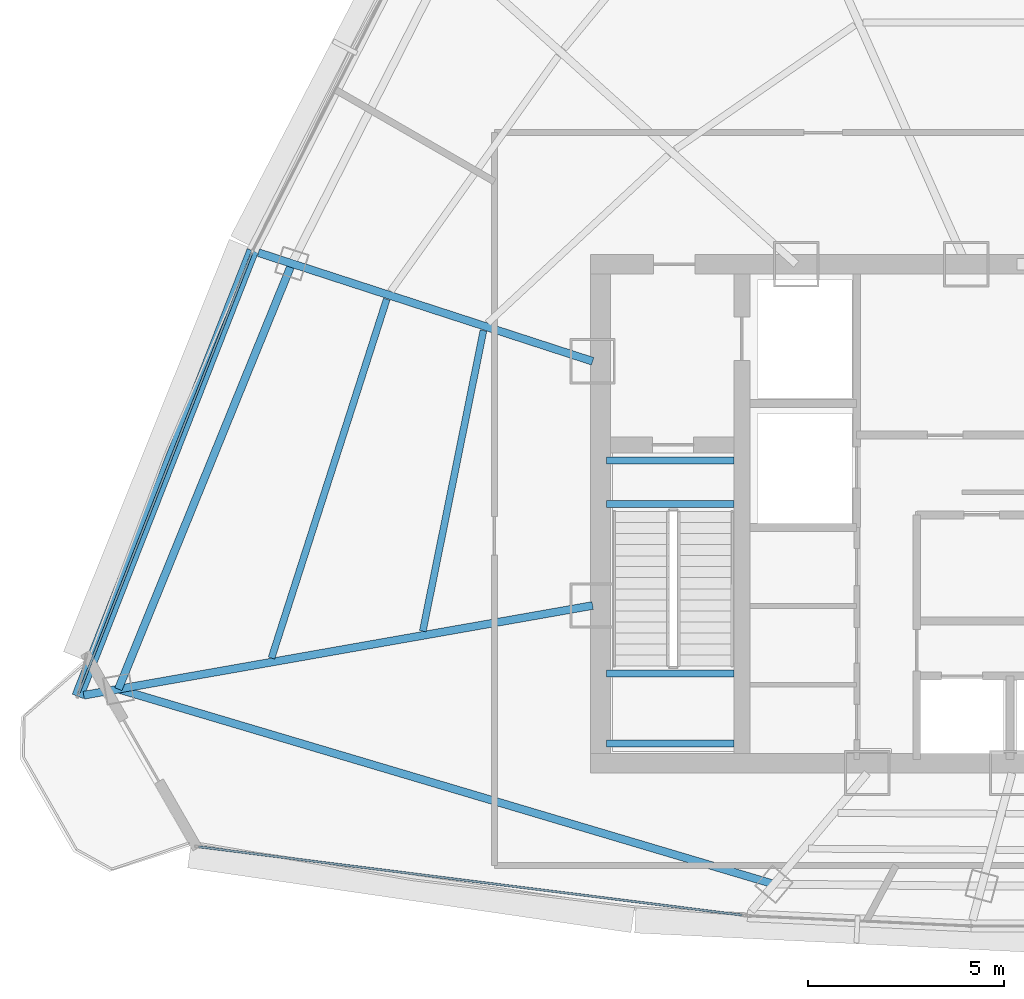
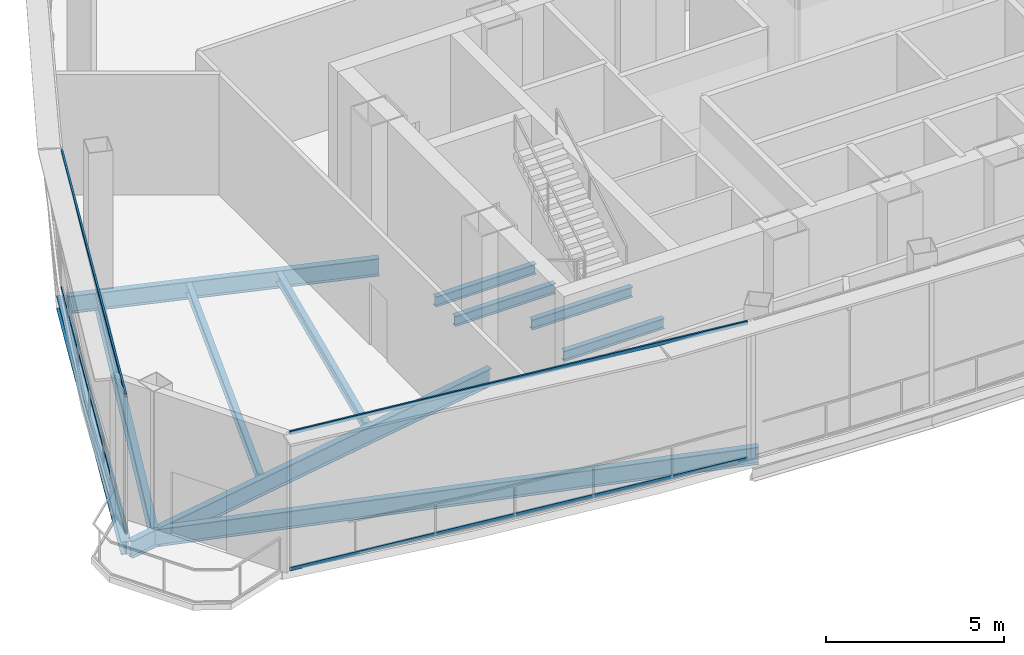
# One storey, part 3 of 29: 11 beams, 4 members, 2 elements without a shape of their own.
"""IFC4 building model written with IfcOpenShell, lengths in metres."""

from ifc_helpers import new_model, si_unit, direction, frame, origin, origin_2d, place, context, subcontext, project, spatial, hollow_rectangle, i_section, extrude, source, transform, mapped, material, layer, layer_set, material_profile, profile_set, type_object, element, aggregate, save


model = new_model("IFC4")

# Units and contexts
model_context = context("Model", 3, precision=1e-05, world=origin(), true_north=direction((0.0, 1.0)))
body_context = subcontext(model_context, "Body", "Model", "MODEL_VIEW")
ifc_project = project(units=[si_unit("LENGTHUNIT", "METRE"), si_unit("AREAUNIT", "SQUARE_METRE"), si_unit("VOLUMEUNIT", "CUBIC_METRE"), si_unit("PLANEANGLEUNIT", "RADIAN"), si_unit("MASSUNIT", "GRAM", prefix="KILO"), si_unit("THERMODYNAMICTEMPERATUREUNIT", "KELVIN"), si_unit("POWERUNIT", "WATT")], contexts=[model_context])

# Site, building, storey
site_placement = place(None, origin())
site = spatial("IfcSite", under=ifc_project, at=site_placement, CompositionType="ELEMENT")
building_placement = place(site_placement, origin())
building = spatial("IfcBuilding", under=site, at=building_placement, Name="Yunzhuo Pagoda Commons", CompositionType="ELEMENT")
storey_placement = place(building_placement, frame((0.0, 0.0, 366.760009765625)))
storey = spatial("IfcBuildingStorey", under=building, at=storey_placement, Name="L92", CompositionType="ELEMENT", Elevation=366.760009765625)

# Beams
ifc_material_1 = material(Name="Structural steel Q355B", Category="steel")
ifc_material_profile_1 = material_profile(ifc_material_1, i_section(OverallWidth=0.175048828125, OverallDepth=0.35009765625, WebThickness=0.007080078125, FlangeThickness=0.010986328125, at=origin_2d()), Name="Structural steel Q355B")
ifc_profile_set_1 = profile_set([ifc_material_profile_1], Name="Structural steel Q355B")
beam_type_1 = type_object("IfcBeamType", Name="B-JS2 Joist HN 350x175x7x11", PredefinedType="JOIST", material=ifc_profile_set_1)
shared_shape_1 = source(origin(), body_context, "Body", "SweptSolid", [
    extrude(i_section(OverallWidth=0.175048828125, OverallDepth=0.35009765625, WebThickness=0.007080078125, FlangeThickness=0.010986328125, at=origin_2d()), origin(), (0.0, 0.0, 1.0), 3.25),
])
for number, where, z_axis, x_axis, name in (
    (1, (35.949951171875, 28.0, 2.125), (1.0, 0.0, 0.0), (0.0, 1.0, 0.0), "L92 ST1 landing support beam 98A"),
    (2, (35.949951171875, 29.780029296875, 2.125), (1.0, 0.0, 0.0), (0.0, 1.0, 0.0), "L92 ST1 landing support beam 98B"),
    (3, (35.949951171875, 34.10009765625, -0.375), (1.0, 0.0, 0.0), (0.0, 1.0, 0.0), "L92 ST1 landing support beam 196A"),
    (4, (35.949951171875, 35.199951171875, -0.375), (1.0, 0.0, 0.0), (0.0, 1.0, 0.0), "L92 ST1 landing support beam 196B"),
):
    element("IfcBeam", number, at=place(storey_placement, frame(where, z_axis=z_axis, x_axis=x_axis)), inside=storey, type_object=beam_type_1, Name=name, PredefinedType="JOIST", context=body_context, shape_type="MappedRepresentation", body=[
        mapped(shared_shape_1, transform((0.0, 0.0, 0.0), scale=1.0)),
    ])
ifc_material_profile_2 = material_profile(ifc_material_1, i_section(OverallWidth=0.199951171875, OverallDepth=0.60009765625, WebThickness=0.010986328125, FlangeThickness=0.01708984375, at=origin_2d()), Name="Structural steel Q355B")
ifc_profile_set_2 = profile_set([ifc_material_profile_2], Name="Structural steel Q355B")
beam_type_2 = type_object("IfcBeamType", Name="B-RG3 Beam HN 600x200x11x17", PredefinedType="BEAM", material=ifc_profile_set_2)
shared_shape_2 = source(origin(), body_context, "Body", "SweptSolid", [
    extrude(i_section(OverallWidth=0.199951171875, OverallDepth=0.60009765625, WebThickness=0.010986328125, FlangeThickness=0.01708984375, at=origin_2d()), origin(), (0.0, 0.0, 1.0), 17.407470703125),
])
beam_1_placement = place(storey_placement, frame((23.52978515625, 29.38525390625, -0.580078125), z_axis=(0.958484984609, -0.285143006717, 0.0), x_axis=(0.285143006717, 0.958484984609, 0.0)))
element("IfcBeam", 5, at=beam_1_placement, inside=storey, type_object=beam_type_2, Name="L92 column-ring beam 12", PredefinedType="BEAM", context=body_context, shape_type="MappedRepresentation", body=[
    mapped(shared_shape_2, transform((0.0, 0.0, 0.0), scale=1.0)),
])
shared_shape_3 = source(origin(), body_context, "Body", "SweptSolid", [
    extrude(i_section(OverallWidth=0.199951171875, OverallDepth=0.60009765625, WebThickness=0.010986328125, FlangeThickness=0.01708984375, at=origin_2d()), origin(), (0.0, 0.0, 1.0), 11.696533203125),
])
beam_2_placement = place(storey_placement, frame((27.946533203125, 40.2158203125, -0.580078125), z_axis=(-0.377611800863, -0.925963999219, 0.0), x_axis=(0.925963999219, -0.377611800863, 0.0)))
element("IfcBeam", 6, at=beam_2_placement, inside=storey, type_object=beam_type_2, Name="L92 column-ring beam 11", PredefinedType="BEAM", context=body_context, shape_type="MappedRepresentation", body=[
    mapped(shared_shape_3, transform((0.0, 0.0, 0.0), scale=1.0)),
])
shared_shape_4 = source(origin(), body_context, "Body", "SweptSolid", [
    extrude(i_section(OverallWidth=0.175048828125, OverallDepth=0.35009765625, WebThickness=0.007080078125, FlangeThickness=0.010986328125, at=origin_2d()), origin(), (0.0, 0.0, 1.0), 7.8056640625),
])
beam_3_placement = place(storey_placement, frame((32.822265625, 38.511474609375, -0.455078125), z_axis=(-0.197890187791, -0.980224195568, 0.0), x_axis=(0.980224195568, -0.197890187791, 0.0)))
element("IfcBeam", 7, at=beam_3_placement, inside=storey, type_object=beam_type_1, Name="L92 composite ring joist 1.11", PredefinedType="JOIST", context=body_context, shape_type="MappedRepresentation", body=[
    mapped(shared_shape_4, transform((0.0, 0.0, 0.0), scale=1.0)),
])
shared_shape_5 = source(origin(), body_context, "Body", "SweptSolid", [
    extrude(i_section(OverallWidth=0.175048828125, OverallDepth=0.35009765625, WebThickness=0.007080078125, FlangeThickness=0.010986328125, at=origin_2d()), origin(), (0.0, 0.0, 1.0), 9.593994140625),
])
beam_4_placement = place(storey_placement, frame((30.360595703125, 39.310546875, -0.455078125), z_axis=(-0.305719218499, -0.952121714614, 0.0), x_axis=(0.952121714614, -0.305719218499, 0.0)))
element("IfcBeam", 8, at=beam_4_placement, inside=storey, type_object=beam_type_1, Name="L92 composite ring joist 2.11", PredefinedType="JOIST", context=body_context, shape_type="MappedRepresentation", body=[
    mapped(shared_shape_5, transform((0.0, 0.0, 0.0), scale=1.0)),
])
shared_shape_6 = source(origin(), body_context, "Body", "SweptSolid", [
    extrude(i_section(OverallWidth=0.199951171875, OverallDepth=0.60009765625, WebThickness=0.010986328125, FlangeThickness=0.01708984375, at=origin_2d()), origin(), (0.0, 0.0, 1.0), 8.942626953125),
])
beam_5_placement = place(storey_placement, frame((27.09521484375, 40.492431640625, -0.580078125), z_axis=(0.951055734301, -0.309019401095, 0.0), x_axis=(0.309019401095, 0.951055734301, 0.0)))
element("IfcBeam", 9, at=beam_5_placement, inside=storey, type_object=beam_type_2, Name="L92 radial floor girder F3C3", PredefinedType="BEAM", context=body_context, shape_type="MappedRepresentation", body=[
    mapped(shared_shape_6, transform((0.0, 0.0, 0.0), scale=1.0)),
])
shared_shape_7 = source(origin(), body_context, "Body", "SweptSolid", [
    extrude(i_section(OverallWidth=0.199951171875, OverallDepth=0.60009765625, WebThickness=0.010986328125, FlangeThickness=0.01708984375, at=origin_2d()), origin(), (0.0, 0.0, 1.0), 13.151123046875),
])
beam_6_placement = place(storey_placement, frame((22.648681640625, 29.229736328125, -0.580078125), z_axis=(0.984807657771, 0.173648717804, 0.0), x_axis=(-0.173648717804, 0.984807657771, 0.0)))
element("IfcBeam", 10, at=beam_6_placement, inside=storey, type_object=beam_type_2, Name="L92 radial floor girder F3C4", PredefinedType="BEAM", context=body_context, shape_type="MappedRepresentation", body=[
    mapped(shared_shape_7, transform((0.0, 0.0, 0.0), scale=1.0)),
])
ifc_material_profile_3 = material_profile(ifc_material_1, i_section(OverallWidth=0.300048828125, OverallDepth=0.43994140625, WebThickness=0.010986328125, FlangeThickness=0.01806640625, at=origin_2d()), Name="Structural steel Q355B")
ifc_profile_set_3 = profile_set([ifc_material_profile_3], Name="Structural steel Q355B")
beam_type_3 = type_object("IfcBeamType", Name="B-SP2 Beam HM 440x300x11x18", PredefinedType="BEAM", material=ifc_profile_set_3)
shared_shape_8 = source(origin(), body_context, "Body", "SweptSolid", [
    extrude(i_section(OverallWidth=0.300048828125, OverallDepth=0.43994140625, WebThickness=0.010986328125, FlangeThickness=0.01806640625, at=origin_2d()), origin(), (0.0, 0.0, 1.0), 12.18017578125),
])
beam_7_placement = place(storey_placement, frame((26.947998046875, 40.540283203125, -0.5), z_axis=(-0.365522138301, -0.930802646328, 0.0), x_axis=(0.930802646328, -0.365522138301, 0.0)))
element("IfcBeam", 11, at=beam_7_placement, inside=storey, type_object=beam_type_3, Name="L92 facade edge spandrel beam F3.3", PredefinedType="BEAM", context=body_context, shape_type="MappedRepresentation", body=[
    mapped(shared_shape_8, transform((0.0, 0.0, 0.0), scale=1.0)),
])

# Curtain wall, members
ifc_material_2 = material(Name="Anodized aluminium 6063-T6", Category="aluminium")
ifc_layer = layer(ifc_material_2, 0.139892578125)
ifc_layer_set = layer_set([ifc_layer], Name="Anodized aluminium 6063-T6")
curtain_wall_type = type_object("IfcCurtainWallType", Name="CW-HI High-Zone Ribbon Curtain Wall", PredefinedType="NOTDEFINED", material=ifc_layer_set)
curtain_wall_1_placement = place(storey_placement, origin())
curtain_wall_1 = element("IfcCurtainWall", 12, at=curtain_wall_1_placement, inside=storey, type_object=curtain_wall_type, Name="L92 curtain wall CW-L92-F1B1", PredefinedType="NOTDEFINED")
ifc_material_profile_4 = material_profile(ifc_material_2, hollow_rectangle(XDim=0.054931640625, YDim=0.1201171875, WallThickness=0.00341796875, at=origin_2d()), Name="Anodized aluminium 6063-T6")
ifc_profile_set_4 = profile_set([ifc_material_profile_4], Name="Anodized aluminium 6063-T6")
member_type = type_object("IfcMemberType", Name="CW-HI-T Transom RHS 120x55x3.5", PredefinedType="USERDEFINED", material=ifc_profile_set_4)
shared_shape_9 = source(origin(), body_context, "Body", "SweptSolid", [
    extrude(hollow_rectangle(XDim=0.054931640625, YDim=0.1201171875, WallThickness=0.00341796875, at=origin_2d()), origin(), (0.0, 0.0, 1.0), 13.94140625),
])
member_1_placement = place(storey_placement, frame((25.5732421875, 25.372802734375, 0.027587890625), z_axis=(0.99219413306, -0.124702856111, 0.0), x_axis=(0.124702856111, 0.99219413306, 0.0)))
member_1 = element("IfcMember", 13, at=member_1_placement, type_object=member_type, Name="CW transom 1.1", ObjectType="TRANSOM", PredefinedType="USERDEFINED", context=body_context, shape_type="MappedRepresentation", body=[
    mapped(shared_shape_9, transform((0.0, 0.0, 0.0), scale=1.0)),
])
member_2_placement = place(storey_placement, frame((25.5732421875, 25.372802734375, 4.6923828125), z_axis=(0.99219413306, -0.124702856111, 0.0), x_axis=(0.124702856111, 0.99219413306, 0.0)))
member_2 = element("IfcMember", 14, at=member_2_placement, type_object=member_type, Name="CW transom 1.2", ObjectType="TRANSOM", PredefinedType="USERDEFINED", context=body_context, shape_type="MappedRepresentation", body=[
    mapped(shared_shape_9, transform((0.0, 0.0, 0.0), scale=1.0)),
])
aggregate(curtain_wall_1, [member_1, member_2])

curtain_wall_2_placement = place(storey_placement, origin())
curtain_wall_2 = element("IfcCurtainWall", 15, at=curtain_wall_2_placement, inside=storey, type_object=curtain_wall_type, Name="L92 curtain wall CW-L92-F3B4", PredefinedType="NOTDEFINED")
shared_shape_10 = source(origin(), body_context, "Body", "SweptSolid", [
    extrude(hollow_rectangle(XDim=0.054931640625, YDim=0.1201171875, WallThickness=0.00341796875, at=origin_2d()), origin(), (0.0, 0.0, 1.0), 12.06005859375),
])
member_3_placement = place(storey_placement, frame((26.926025390625, 40.484375, 0.027587890625), z_axis=(-0.365519588165, -0.930803647752, 0.0), x_axis=(0.930803647752, -0.365519588165, 0.0)))
member_3 = element("IfcMember", 16, at=member_3_placement, type_object=member_type, Name="CW transom 1.1", ObjectType="TRANSOM", PredefinedType="USERDEFINED", context=body_context, shape_type="MappedRepresentation", body=[
    mapped(shared_shape_10, transform((0.0, 0.0, 0.0), scale=1.0)),
])
member_4_placement = place(storey_placement, frame((26.926025390625, 40.484375, 4.6923828125), z_axis=(-0.365519588165, -0.930803647752, 0.0), x_axis=(0.930803647752, -0.365519588165, 0.0)))
member_4 = element("IfcMember", 17, at=member_4_placement, type_object=member_type, Name="CW transom 1.2", ObjectType="TRANSOM", PredefinedType="USERDEFINED", context=body_context, shape_type="MappedRepresentation", body=[
    mapped(shared_shape_10, transform((0.0, 0.0, 0.0), scale=1.0)),
])
aggregate(curtain_wall_2, [member_3, member_4])

save(model, "model.ifc")
